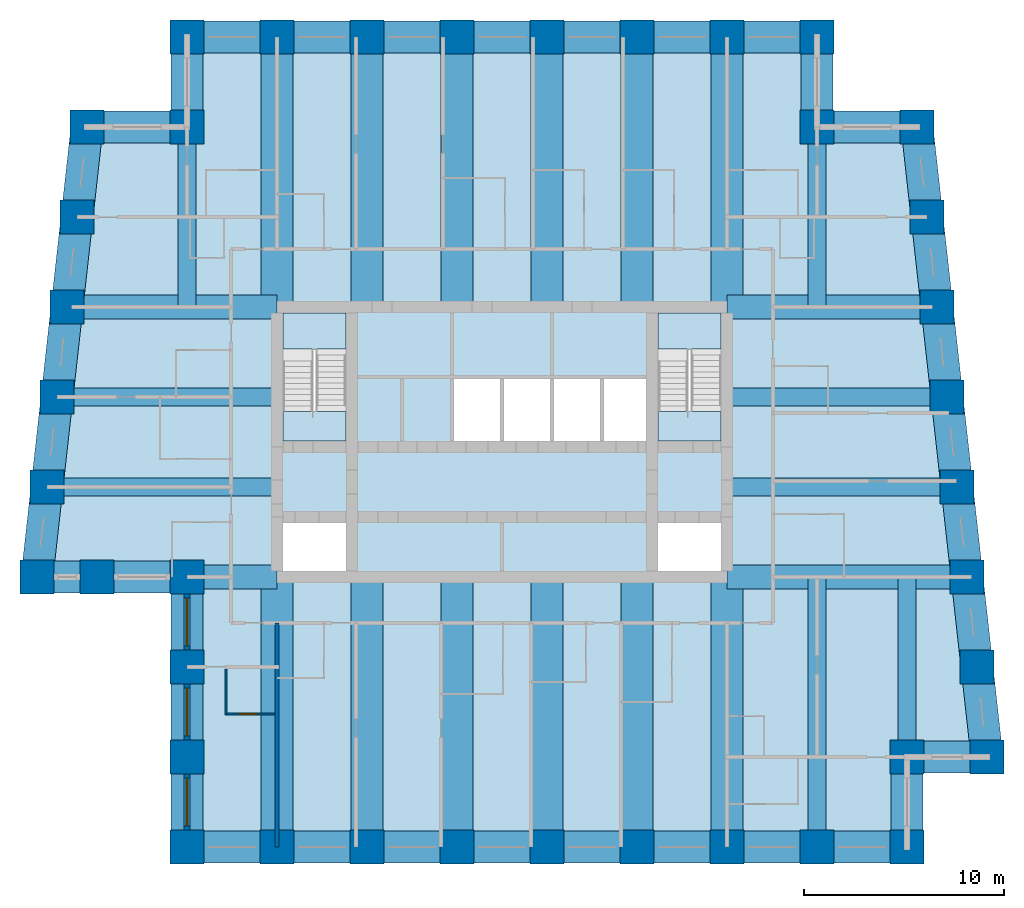
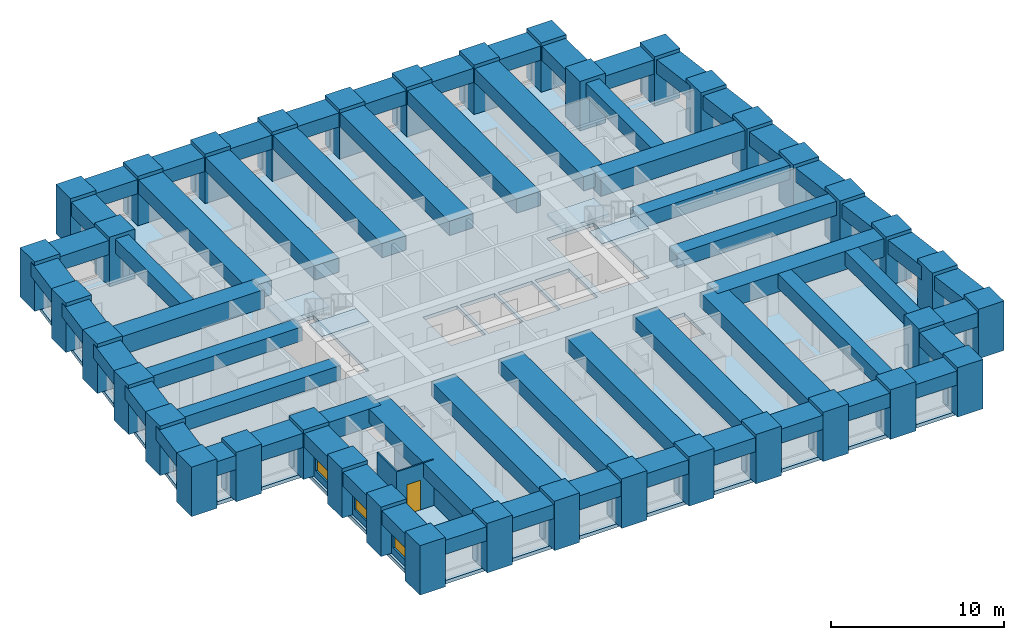
# One storey, part 1 of 8: 62 beams, 38 columns, 5 slabs, 4 walls, 3 windows, 1 door, 4 openings, 2 elements without a shape of their own.
"""IFC4 building model written with IfcOpenShell, lengths in metres."""

from ifc_helpers import new_model, si_unit, direction, frame, frame_2d, origin, origin_2d, place, context, subcontext, project, spatial, polyline, rectangle, outline, extrude, material, layer, layer_set, material_profile, profile_set, type_object, element, fill, aggregate, save


model = new_model("IFC4")

# Units and contexts
model_context = context("Model", 3, precision=1e-05, world=origin(), true_north=direction((0.0, 1.0)))
body_context = subcontext(model_context, "Body", "Model", "MODEL_VIEW")
ifc_project = project(units=[si_unit("LENGTHUNIT", "METRE"), si_unit("AREAUNIT", "SQUARE_METRE"), si_unit("VOLUMEUNIT", "CUBIC_METRE"), si_unit("PLANEANGLEUNIT", "RADIAN"), si_unit("MASSUNIT", "GRAM", prefix="KILO")], contexts=[model_context])

# Site, building, storey
site_placement = place(None, origin())
site = spatial("IfcSite", under=ifc_project, at=site_placement, CompositionType="ELEMENT")
building_placement = place(site_placement, origin())
building = spatial("IfcBuilding", under=site, at=building_placement, Name="Kilele Tower Hotel", CompositionType="ELEMENT")
storey_placement = place(building_placement, frame((0.0, 0.0, 176.39990234375)))
storey = spatial("IfcBuildingStorey", under=building, at=storey_placement, Name="L45", CompositionType="ELEMENT", Elevation=176.39990234375)

# Columns
ifc_material_1 = material(Name="Concrete C60/75", Category="concrete")
ifc_material_profile_1 = material_profile(ifc_material_1, rectangle(XDim=1.699951171875, YDim=1.699951171875, at=origin_2d()))
ifc_profile_set_1 = profile_set([ifc_material_profile_1], Name="Concrete C60/75")
column_type = type_object("IfcColumnType", Name="Tube column RC 1700x1700 C60/75", PredefinedType="COLUMN", material=ifc_profile_set_1)
for number, where, z_axis, x_axis, name in (
    (1, (1.5, 13.5, 0.0), (0.0, 0.0, 1.0), (1.0, 0.0, 0.0), "Column TC4 L45"),
    (2, (4.5, 13.5, 0.0), (0.0, 0.0, 1.0), (1.0, 0.0, 0.0), "Column TC4 L45"),
    (3, (9.0, 13.5, 0.0), (0.0, 0.0, 1.0), (1.0, 0.0, 0.0), "Column TC4 L45"),
    (4, (9.0, 9.0, 0.0), (0.0, 0.0, 1.0), (1.0, 0.0, 0.0), "Column TC4 L45"),
    (5, (9.0, 4.5, 0.0), (0.0, 0.0, 1.0), (1.0, 0.0, 0.0), "Column TC4 L45"),
    (6, (9.0, 0.0, 0.0), (0.0, 0.0, 1.0), (1.0, 0.0, 0.0), "Column TC4 L45"),
    (7, (13.5, 0.0, 0.0), (0.0, 0.0, 1.0), (1.0, 0.0, 0.0), "Column TC4 L45"),
    (8, (18.0, 0.0, 0.0), (0.0, 0.0, 1.0), (1.0, 0.0, 0.0), "Column TC4 L45"),
    (9, (22.5, 0.0, 0.0), (0.0, 0.0, 1.0), (1.0, 0.0, 0.0), "Column TC4 L45"),
    (10, (27.0, 0.0, 0.0), (0.0, 0.0, 1.0), (1.0, 0.0, 0.0), "Column TC4 L45"),
    (11, (31.5, 0.0, 0.0), (0.0, 0.0, 1.0), (1.0, 0.0, 0.0), "Column TC4 L45"),
    (12, (36.0, 0.0, 0.0), (0.0, 0.0, 1.0), (1.0, 0.0, 0.0), "Column TC4 L45"),
    (13, (40.5, 0.0, 0.0), (0.0, 0.0, 1.0), (1.0, 0.0, 0.0), "Column TC4 L45"),
    (14, (45.0, 0.0, 0.0), (0.0, 0.0, 1.0), (1.0, 0.0, 0.0), "Column TC4 L45"),
    (15, (45.0, 4.5, 0.0), (0.0, 0.0, 1.0), (1.0, 0.0, 0.0), "Column TC4 L45"),
    (16, (49.0, 4.5, 0.0), (0.0, 0.0, 1.0), (1.0, 0.0, 0.0), "Column TC4 L45"),
    (17, (48.5, 9.0, 0.0), (0.0, 0.0, 1.0), (1.0, 0.0, 0.0), "Column TC4 L45"),
    (18, (48.0, 13.5, 0.0), (0.0, 0.0, 1.0), (1.0, 0.0, 0.0), "Column TC4 L45"),
    (19, (47.5, 18.0, 0.0), (0.0, 0.0, 1.0), (1.0, 0.0, 0.0), "Column TC4 L45"),
    (20, (47.0, 22.5, 0.0), (0.0, 0.0, 1.0), (1.0, 0.0, 0.0), "Column TC4 L45"),
    (21, (46.5, 27.0, 0.0), (0.0, 0.0, 1.0), (1.0, 0.0, 0.0), "Column TC4 L45"),
    (22, (46.0, 31.5, 0.0), (0.0, 0.0, 1.0), (1.0, 0.0, 0.0), "Column TC4 L45"),
    (23, (45.5, 36.0, 0.0), (0.0, 0.0, 1.0), (1.0, 0.0, 0.0), "Column TC4 L45"),
    (24, (40.5, 36.0, 0.0), (0.0, 0.0, 1.0), (1.0, 0.0, 0.0), "Column TC4 L45"),
    (25, (40.5, 40.5, 0.0), (0.0, 0.0, 1.0), (1.0, 0.0, 0.0), "Column TC4 L45"),
    (26, (36.0, 40.5, 0.0), (0.0, 0.0, 1.0), (1.0, 0.0, 0.0), "Column TC4 L45"),
    (27, (31.5, 40.5, 0.0), (0.0, 0.0, 1.0), (1.0, 0.0, 0.0), "Column TC4 L45"),
    (28, (27.0, 40.5, 0.0), (0.0, 0.0, 1.0), (1.0, 0.0, 0.0), "Column TC4 L45"),
    (29, (22.5, 40.5, 0.0), (0.0, 0.0, 1.0), (1.0, 0.0, 0.0), "Column TC4 L45"),
    (30, (18.0, 40.5, 0.0), (0.0, 0.0, 1.0), (1.0, 0.0, 0.0), "Column TC4 L45"),
    (31, (13.5, 40.5, 0.0), (0.0, 0.0, 1.0), (1.0, 0.0, 0.0), "Column TC4 L45"),
    (32, (9.0, 40.5, 0.0), (0.0, 0.0, 1.0), (1.0, 0.0, 0.0), "Column TC4 L45"),
    (33, (9.0, 36.0, 0.0), (0.0, 0.0, 1.0), (1.0, 0.0, 0.0), "Column TC4 L45"),
    (34, (4.0, 36.0, 0.0), (0.0, 0.0, 1.0), (1.0, 0.0, 0.0), "Column TC4 L45"),
    (35, (3.5, 31.5, 0.0), (0.0, 0.0, 1.0), (1.0, 0.0, 0.0), "Column TC4 L45"),
    (36, (3.0, 27.0, 0.0), (0.0, 0.0, 1.0), (1.0, 0.0, 0.0), "Column TC4 L45"),
    (37, (2.5, 22.5, 0.0), (0.0, 0.0, 1.0), (1.0, 0.0, 0.0), "Column TC4 L45"),
    (38, (2.0, 18.0, 0.0), (0.0, 0.0, 1.0), (1.0, 0.0, 0.0), "Column TC4 L45"),
):
    element("IfcColumn", number, at=place(storey_placement, frame(where, z_axis=z_axis, x_axis=x_axis)), inside=storey, type_object=column_type, Name=name, PredefinedType="COLUMN", context=body_context, shape_type="SweptSolid", body=[
        extrude(rectangle(XDim=1.699951171875, YDim=1.699951171875, at=origin_2d()), origin(), (0.0, 0.0, 1.0), 3.5),
    ])

# Beams
ifc_material_2 = material(Name="Concrete C60/75", Category="concrete")
ifc_material_profile_2 = material_profile(ifc_material_2, rectangle(XDim=1.60009765625, YDim=1.0, at=origin_2d()))
ifc_profile_set_2 = profile_set([ifc_material_profile_2], Name="Concrete C60/75")
beam_type_1 = type_object("IfcBeamType", Name="Beam RC 1600x1000 C60/75", PredefinedType="BEAM", material=ifc_profile_set_2)
for number, where, z_axis, x_axis, name in (
    (39, (13.5, 0.0, 2.75), (0.0, 1.0, 0.0), (-1.0, 0.0, 0.0), "Beam BC1 level L46"),
    (40, (18.0, 0.0, 2.75), (0.0, 1.0, 0.0), (-1.0, 0.0, 0.0), "Beam BC1 level L46"),
    (41, (22.5, 0.0, 2.75), (0.0, 1.0, 0.0), (-1.0, 0.0, 0.0), "Beam BC1 level L46"),
    (42, (27.0, 0.0, 2.75), (0.0, 1.0, 0.0), (-1.0, 0.0, 0.0), "Beam BC1 level L46"),
    (43, (31.5, 0.0, 2.75), (0.0, 1.0, 0.0), (-1.0, 0.0, 0.0), "Beam BC1 level L46"),
    (44, (36.0, 0.0, 2.75), (0.0, 1.0, 0.0), (-1.0, 0.0, 0.0), "Beam BC1 level L46"),
    (45, (36.0, 40.5, 2.75), (0.0, -1.0, 0.0), (1.0, 0.0, 0.0), "Beam BC1 level L46"),
    (46, (31.5, 40.5, 2.75), (0.0, -1.0, 0.0), (1.0, 0.0, 0.0), "Beam BC1 level L46"),
    (47, (27.0, 40.5, 2.75), (0.0, -1.0, 0.0), (1.0, 0.0, 0.0), "Beam BC1 level L46"),
    (48, (22.5, 40.5, 2.75), (0.0, -1.0, 0.0), (1.0, 0.0, 0.0), "Beam BC1 level L46"),
    (49, (18.0, 40.5, 2.75), (0.0, -1.0, 0.0), (1.0, 0.0, 0.0), "Beam BC1 level L46"),
    (50, (13.5, 40.5, 2.75), (0.0, -1.0, 0.0), (1.0, 0.0, 0.0), "Beam BC1 level L46"),
):
    element("IfcBeam", number, at=place(storey_placement, frame(where, z_axis=z_axis, x_axis=x_axis)), inside=storey, type_object=beam_type_1, Name=name, PredefinedType="BEAM", context=body_context, shape_type="SweptSolid", body=[
        extrude(rectangle(XDim=1.60009765625, YDim=1.0, at=origin_2d()), origin(), (0.0, 0.0, 1.0), 13.5),
    ])
ifc_material_3 = material(Name="Concrete C60/75", Category="concrete")
ifc_material_profile_3 = material_profile(ifc_material_3, rectangle(XDim=0.89990234375, YDim=1.0, at=origin_2d()))
ifc_profile_set_3 = profile_set([ifc_material_profile_3], Name="Concrete C60/75")
beam_type_2 = type_object("IfcBeamType", Name="Beam RC 900x1000 C60/75", PredefinedType="BEAM", material=ifc_profile_set_3)
beam_1_placement = place(storey_placement, frame((40.5, 0.0, 2.75), z_axis=(0.0, 1.0, 0.0), x_axis=(-1.0, 0.0, 0.0)))
element("IfcBeam", 51, at=beam_1_placement, inside=storey, type_object=beam_type_2, Name="Beam B8 level L46", PredefinedType="BEAM", context=body_context, shape_type="SweptSolid", body=[
    extrude(rectangle(XDim=0.89990234375, YDim=1.0, at=origin_2d()), origin(), (0.0, 0.0, 1.0), 13.5),
])
beam_2_placement = place(storey_placement, frame((45.0, 4.5, 2.75), z_axis=(0.0, 1.0, 0.0), x_axis=(-1.0, 0.0, 0.0)))
element("IfcBeam", 52, at=beam_2_placement, inside=storey, type_object=beam_type_2, Name="Beam B8 level L46", PredefinedType="BEAM", context=body_context, shape_type="SweptSolid", body=[
    extrude(rectangle(XDim=0.89990234375, YDim=1.0, at=origin_2d()), origin(), (0.0, 0.0, 1.0), 9.0),
])
beam_3_placement = place(storey_placement, frame((47.5, 18.0, 2.75), z_axis=(-1.0, 0.0, 0.0), x_axis=(0.0, -1.0, 0.0)))
element("IfcBeam", 53, at=beam_3_placement, inside=storey, type_object=beam_type_2, Name="Beam B8 level L46", PredefinedType="BEAM", context=body_context, shape_type="SweptSolid", body=[
    extrude(rectangle(XDim=0.89990234375, YDim=1.0, at=origin_2d()), origin(), (0.0, 0.0, 1.0), 11.5),
])
beam_4_placement = place(storey_placement, frame((47.0, 22.5, 2.75), z_axis=(-1.0, 0.0, 0.0), x_axis=(0.0, -1.0, 0.0)))
element("IfcBeam", 54, at=beam_4_placement, inside=storey, type_object=beam_type_2, Name="Beam B8 level L46", PredefinedType="BEAM", context=body_context, shape_type="SweptSolid", body=[
    extrude(rectangle(XDim=0.89990234375, YDim=1.0, at=origin_2d()), origin(), (0.0, 0.0, 1.0), 11.0),
])
for number, where, z_axis, x_axis, name in (
    (55, (40.5, 36.0, 2.75), (0.0, -1.0, 0.0), (1.0, 0.0, 0.0), "Beam B8 level L46"),
    (56, (9.0, 36.0, 2.75), (0.0, -1.0, 0.0), (1.0, 0.0, 0.0), "Beam B8 level L46"),
):
    element("IfcBeam", number, at=place(storey_placement, frame(where, z_axis=z_axis, x_axis=x_axis)), inside=storey, type_object=beam_type_2, Name=name, PredefinedType="BEAM", context=body_context, shape_type="SweptSolid", body=[
        extrude(rectangle(XDim=0.89990234375, YDim=1.0, at=origin_2d()), origin(), (0.0, 0.0, 1.0), 9.0),
    ])
beam_5_placement = place(storey_placement, frame((2.5, 22.5, 2.75), z_axis=(1.0, 0.0, 0.0), x_axis=(0.0, 1.0, 0.0)))
element("IfcBeam", 57, at=beam_5_placement, inside=storey, type_object=beam_type_2, Name="Beam B8 level L46", PredefinedType="BEAM", context=body_context, shape_type="SweptSolid", body=[
    extrude(rectangle(XDim=0.89990234375, YDim=1.0, at=origin_2d()), origin(), (0.0, 0.0, 1.0), 11.0),
])
beam_6_placement = place(storey_placement, frame((2.0, 18.0, 2.75), z_axis=(1.0, 0.0, 0.0), x_axis=(0.0, 1.0, 0.0)))
element("IfcBeam", 58, at=beam_6_placement, inside=storey, type_object=beam_type_2, Name="Beam B8 level L46", PredefinedType="BEAM", context=body_context, shape_type="SweptSolid", body=[
    extrude(rectangle(XDim=0.89990234375, YDim=1.0, at=origin_2d()), origin(), (0.0, 0.0, 1.0), 11.5),
])
ifc_material_4 = material(Name="Concrete C60/75", Category="concrete")
ifc_material_profile_4 = material_profile(ifc_material_4, rectangle(XDim=1.199951171875, YDim=1.300048828125, at=origin_2d()))
ifc_profile_set_4 = profile_set([ifc_material_profile_4], Name="Concrete C60/75")
beam_type_3 = type_object("IfcBeamType", Name="Girder RC 1200x1300 C60/75", PredefinedType="BEAM", material=ifc_profile_set_4)
beam_7_placement = place(storey_placement, frame((48.0, 13.5, 2.60009765625), z_axis=(-1.0, 0.0, 0.0), x_axis=(0.0, -1.0, 0.0)))
element("IfcBeam", 59, at=beam_7_placement, inside=storey, type_object=beam_type_3, Name="Girder G1 level L46", PredefinedType="BEAM", context=body_context, shape_type="SweptSolid", body=[
    extrude(rectangle(XDim=1.199951171875, YDim=1.300048828125, at=origin_2d()), origin(), (0.0, 0.0, 1.0), 12.0),
])
ifc_material_5 = material(Name="Concrete C60/75", Category="concrete")
ifc_material_profile_5 = material_profile(ifc_material_5, rectangle(XDim=1.199951171875, YDim=1.300048828125, at=origin_2d()))
ifc_profile_set_5 = profile_set([ifc_material_profile_5], Name="Concrete C60/75")
beam_type_4 = type_object("IfcBeamType", Name="Girder RC 1200x1300 C60/75 mid span", PredefinedType="BEAM", material=ifc_profile_set_5)
for number, where, z_axis, x_axis, name in (
    (60, (46.5, 27.0, 2.60009765625), (-1.0, 0.0, 0.0), (0.0, -1.0, 0.0), "Girder G3 level L46"),
    (61, (3.0, 27.0, 2.60009765625), (1.0, 0.0, 0.0), (0.0, 1.0, 0.0), "Girder G3 level L46"),
):
    element("IfcBeam", number, at=place(storey_placement, frame(where, z_axis=z_axis, x_axis=x_axis)), inside=storey, type_object=beam_type_4, Name=name, PredefinedType="BEAM", context=body_context, shape_type="SweptSolid", body=[
        extrude(rectangle(XDim=1.199951171875, YDim=1.300048828125, at=origin_2d()), origin(), (0.0, 0.0, 1.0), 10.5),
    ])
ifc_material_6 = material(Name="Concrete C60/75", Category="concrete")
ifc_material_profile_6 = material_profile(ifc_material_6, rectangle(XDim=1.199951171875, YDim=1.300048828125, at=origin_2d()))
ifc_profile_set_6 = profile_set([ifc_material_profile_6], Name="Concrete C60/75")
beam_type_5 = type_object("IfcBeamType", Name="Girder RC 1200x1300 C60/75 short span", PredefinedType="BEAM", material=ifc_profile_set_6)
beam_8_placement = place(storey_placement, frame((9.0, 13.5, 2.60009765625), z_axis=(1.0, 0.0, 0.0), x_axis=(0.0, 1.0, 0.0)))
element("IfcBeam", 62, at=beam_8_placement, inside=storey, type_object=beam_type_5, Name="Girder G5 level L46", PredefinedType="BEAM", context=body_context, shape_type="SweptSolid", body=[
    extrude(rectangle(XDim=1.199951171875, YDim=1.300048828125, at=origin_2d()), origin(), (0.0, 0.0, 1.0), 4.5),
])
ifc_material_7 = material(Name="Concrete C60/75", Category="concrete")
ifc_material_profile_7 = material_profile(ifc_material_7, rectangle(XDim=1.60009765625, YDim=1.0, at=origin_2d()))
ifc_profile_set_7 = profile_set([ifc_material_profile_7], Name="Concrete C60/75")
beam_type_6 = type_object("IfcBeamType", Name="Spandrel RC 1600x1000 C60/75", PredefinedType="SPANDREL", material=ifc_profile_set_7)
beam_9_placement = place(storey_placement, frame((1.5, 13.5, 2.75), z_axis=(1.0, 0.0, 0.0), x_axis=(0.0, 1.0, 0.0)))
element("IfcBeam", 63, at=beam_9_placement, inside=storey, type_object=beam_type_6, Name="Spandrel SP2 level L46", PredefinedType="SPANDREL", context=body_context, shape_type="SweptSolid", body=[
    extrude(rectangle(XDim=1.60009765625, YDim=1.0, at=origin_2d()), origin(), (0.0, 0.0, 1.0), 3.0),
])
for number, where, z_axis, x_axis, name in (
    (64, (4.5, 13.5, 2.75), (1.0, 0.0, 0.0), (0.0, 1.0, 0.0), "Spandrel SP2 level L46"),
    (65, (9.0, 13.5, 2.75), (0.0, -1.0, 0.0), (1.0, 0.0, 0.0), "Spandrel SP2 level L46"),
    (66, (9.0, 9.0, 2.75), (0.0, -1.0, 0.0), (1.0, 0.0, 0.0), "Spandrel SP2 level L46"),
    (67, (9.0, 4.5, 2.75), (0.0, -1.0, 0.0), (1.0, 0.0, 0.0), "Spandrel SP2 level L46"),
    (68, (9.0, 0.0, 2.75), (1.0, 0.0, 0.0), (0.0, 1.0, 0.0), "Spandrel SP2 level L46"),
    (69, (13.5, 0.0, 2.75), (1.0, 0.0, 0.0), (0.0, 1.0, 0.0), "Spandrel SP2 level L46"),
    (70, (18.0, 0.0, 2.75), (1.0, 0.0, 0.0), (0.0, 1.0, 0.0), "Spandrel SP2 level L46"),
    (71, (22.5, 0.0, 2.75), (1.0, 0.0, 0.0), (0.0, 1.0, 0.0), "Spandrel SP2 level L46"),
    (72, (27.0, 0.0, 2.75), (1.0, 0.0, 0.0), (0.0, 1.0, 0.0), "Spandrel SP2 level L46"),
    (73, (31.5, 0.0, 2.75), (1.0, 0.0, 0.0), (0.0, 1.0, 0.0), "Spandrel SP2 level L46"),
    (74, (36.0, 0.0, 2.75), (1.0, 0.0, 0.0), (0.0, 1.0, 0.0), "Spandrel SP2 level L46"),
    (75, (40.5, 0.0, 2.75), (1.0, 0.0, 0.0), (0.0, 1.0, 0.0), "Spandrel SP2 level L46"),
    (76, (45.0, 0.0, 2.75), (0.0, 1.0, 0.0), (-1.0, 0.0, 0.0), "Spandrel SP2 level L46"),
):
    element("IfcBeam", number, at=place(storey_placement, frame(where, z_axis=z_axis, x_axis=x_axis)), inside=storey, type_object=beam_type_6, Name=name, PredefinedType="SPANDREL", context=body_context, shape_type="SweptSolid", body=[
        extrude(rectangle(XDim=1.60009765625, YDim=1.0, at=origin_2d()), origin(), (0.0, 0.0, 1.0), 4.5),
    ])
beam_10_placement = place(storey_placement, frame((45.0, 4.5, 2.75), z_axis=(1.0, 0.0, 0.0), x_axis=(0.0, 1.0, 0.0)))
element("IfcBeam", 77, at=beam_10_placement, inside=storey, type_object=beam_type_6, Name="Spandrel SP2 level L46", PredefinedType="SPANDREL", context=body_context, shape_type="SweptSolid", body=[
    extrude(rectangle(XDim=1.60009765625, YDim=1.0, at=origin_2d()), origin(), (0.0, 0.0, 1.0), 4.0),
])
for number, where, z_axis, x_axis, name in (
    (78, (49.0, 4.5, 2.75), (-0.110431526075, 0.993883734674, 0.0), (-0.993883734674, -0.110431526075, 0.0), "Spandrel SP2 level L46"),
    (79, (48.5, 9.0, 2.75), (-0.110431526075, 0.993883734674, 0.0), (-0.993883734674, -0.110431526075, 0.0), "Spandrel SP2 level L46"),
    (80, (48.0, 13.5, 2.75), (-0.110431526075, 0.993883734674, 0.0), (-0.993883734674, -0.110431526075, 0.0), "Spandrel SP2 level L46"),
    (81, (47.5, 18.0, 2.75), (-0.110431526075, 0.993883734674, 0.0), (-0.993883734674, -0.110431526075, 0.0), "Spandrel SP2 level L46"),
    (82, (47.0, 22.5, 2.75), (-0.110431526075, 0.993883734674, 0.0), (-0.993883734674, -0.110431526075, 0.0), "Spandrel SP2 level L46"),
    (83, (46.5, 27.0, 2.75), (-0.110431526075, 0.993883734674, 0.0), (-0.993883734674, -0.110431526075, 0.0), "Spandrel SP2 level L46"),
    (84, (46.0, 31.5, 2.75), (-0.110431526075, 0.993883734674, 0.0), (-0.993883734674, -0.110431526075, 0.0), "Spandrel SP2 level L46"),
):
    element("IfcBeam", number, at=place(storey_placement, frame(where, z_axis=z_axis, x_axis=x_axis)), inside=storey, type_object=beam_type_6, Name=name, PredefinedType="SPANDREL", context=body_context, shape_type="SweptSolid", body=[
        extrude(rectangle(XDim=1.60009765625, YDim=1.0, at=origin_2d()), origin(), (0.0, 0.0, 1.0), 4.527587890625),
    ])
beam_11_placement = place(storey_placement, frame((45.5, 36.0, 2.75), z_axis=(-1.0, 0.0, 0.0), x_axis=(0.0, -1.0, 0.0)))
element("IfcBeam", 85, at=beam_11_placement, inside=storey, type_object=beam_type_6, Name="Spandrel SP2 level L46", PredefinedType="SPANDREL", context=body_context, shape_type="SweptSolid", body=[
    extrude(rectangle(XDim=1.60009765625, YDim=1.0, at=origin_2d()), origin(), (0.0, 0.0, 1.0), 5.0),
])
for number, where, z_axis, x_axis, name in (
    (86, (40.5, 36.0, 2.75), (0.0, 1.0, 0.0), (-1.0, 0.0, 0.0), "Spandrel SP2 level L46"),
    (87, (40.5, 40.5, 2.75), (-1.0, 0.0, 0.0), (0.0, -1.0, 0.0), "Spandrel SP2 level L46"),
    (88, (36.0, 40.5, 2.75), (-1.0, 0.0, 0.0), (0.0, -1.0, 0.0), "Spandrel SP2 level L46"),
    (89, (31.5, 40.5, 2.75), (-1.0, 0.0, 0.0), (0.0, -1.0, 0.0), "Spandrel SP2 level L46"),
    (90, (27.0, 40.5, 2.75), (-1.0, 0.0, 0.0), (0.0, -1.0, 0.0), "Spandrel SP2 level L46"),
    (91, (22.5, 40.5, 2.75), (-1.0, 0.0, 0.0), (0.0, -1.0, 0.0), "Spandrel SP2 level L46"),
    (92, (18.0, 40.5, 2.75), (-1.0, 0.0, 0.0), (0.0, -1.0, 0.0), "Spandrel SP2 level L46"),
    (93, (13.5, 40.5, 2.75), (-1.0, 0.0, 0.0), (0.0, -1.0, 0.0), "Spandrel SP2 level L46"),
    (94, (9.0, 40.5, 2.75), (0.0, -1.0, 0.0), (1.0, 0.0, 0.0), "Spandrel SP2 level L46"),
):
    element("IfcBeam", number, at=place(storey_placement, frame(where, z_axis=z_axis, x_axis=x_axis)), inside=storey, type_object=beam_type_6, Name=name, PredefinedType="SPANDREL", context=body_context, shape_type="SweptSolid", body=[
        extrude(rectangle(XDim=1.60009765625, YDim=1.0, at=origin_2d()), origin(), (0.0, 0.0, 1.0), 4.5),
    ])
beam_12_placement = place(storey_placement, frame((9.0, 36.0, 2.75), z_axis=(-1.0, 0.0, 0.0), x_axis=(0.0, -1.0, 0.0)))
element("IfcBeam", 95, at=beam_12_placement, inside=storey, type_object=beam_type_6, Name="Spandrel SP2 level L46", PredefinedType="SPANDREL", context=body_context, shape_type="SweptSolid", body=[
    extrude(rectangle(XDim=1.60009765625, YDim=1.0, at=origin_2d()), origin(), (0.0, 0.0, 1.0), 5.0),
])
for number, where, z_axis, x_axis, name in (
    (96, (4.0, 36.0, 2.75), (-0.110431526075, -0.993883734674, 0.0), (0.993883734674, -0.110431526075, 0.0), "Spandrel SP2 level L46"),
    (97, (3.5, 31.5, 2.75), (-0.110431526075, -0.993883734674, 0.0), (0.993883734674, -0.110431526075, 0.0), "Spandrel SP2 level L46"),
    (98, (3.0, 27.0, 2.75), (-0.110431526075, -0.993883734674, 0.0), (0.993883734674, -0.110431526075, 0.0), "Spandrel SP2 level L46"),
    (99, (2.5, 22.5, 2.75), (-0.110431526075, -0.993883734674, 0.0), (0.993883734674, -0.110431526075, 0.0), "Spandrel SP2 level L46"),
    (100, (2.0, 18.0, 2.75), (-0.110431526075, -0.993883734674, 0.0), (0.993883734674, -0.110431526075, 0.0), "Spandrel SP2 level L46"),
):
    element("IfcBeam", number, at=place(storey_placement, frame(where, z_axis=z_axis, x_axis=x_axis)), inside=storey, type_object=beam_type_6, Name=name, PredefinedType="SPANDREL", context=body_context, shape_type="SweptSolid", body=[
        extrude(rectangle(XDim=1.60009765625, YDim=1.0, at=origin_2d()), origin(), (0.0, 0.0, 1.0), 4.527587890625),
    ])

# Slab
ifc_material_8 = material(Name="Concrete C60/75", Category="concrete")
ifc_layer_1 = layer(ifc_material_8, 0.25)
ifc_layer_set_1 = layer_set([ifc_layer_1], Name="Concrete C60/75")
slab_type_1 = type_object("IfcSlabType", Name="Floor slab 250", PredefinedType="FLOOR", material=ifc_layer_set_1)
slab_1_placement = place(storey_placement, frame((0.0, 0.0, -0.25)))
element("IfcSlab", 101, at=slab_1_placement, inside=storey, type_object=slab_type_1, Name="Floor slab L45", PredefinedType="FLOOR", context=body_context, shape_type="SweptSolid", body=[
    extrude(outline(polyline([(8.699951171875, 36.300048828125), (8.699951171875, 40.800048828125), (40.800048828125, 40.800048828125), (40.800048828125, 36.300048828125), (45.7685546875, 36.300048828125), (49.335205078125, 4.199951171875), (45.300048828125, 4.199951171875), (45.300048828125, -0.300048828125), (8.699951171875, -0.300048828125), (8.699951171875, 13.199951171875), (1.164794921875, 13.199951171875), (3.7314453125, 36.300048828125), (8.699951171875, 36.300048828125)]), holes=[polyline([(16.949951171875, 16.199951171875), (13.800048828125, 16.199951171875), (13.800048828125, 13.800048828125), (16.949951171875, 13.800048828125), (16.949951171875, 16.199951171875)]), polyline([(35.699951171875, 16.199951171875), (32.550048828125, 16.199951171875), (32.550048828125, 13.800048828125), (35.699951171875, 13.800048828125), (35.699951171875, 16.199951171875)]), polyline([(24.64990234375, 23.39990234375), (22.35009765625, 23.39990234375), (22.35009765625, 20.10009765625), (24.64990234375, 20.10009765625), (24.64990234375, 23.39990234375)]), polyline([(27.14990234375, 23.39990234375), (24.85009765625, 23.39990234375), (24.85009765625, 20.10009765625), (27.14990234375, 20.10009765625), (27.14990234375, 23.39990234375)]), polyline([(29.64990234375, 23.39990234375), (27.35009765625, 23.39990234375), (27.35009765625, 20.10009765625), (29.64990234375, 20.10009765625), (29.64990234375, 23.39990234375)]), polyline([(32.14990234375, 23.39990234375), (29.85009765625, 23.39990234375), (29.85009765625, 20.10009765625), (32.14990234375, 20.10009765625), (32.14990234375, 23.39990234375)]), polyline([(16.949951171875, 26.699951171875), (13.800048828125, 26.699951171875), (13.800048828125, 20.300048828125), (16.949951171875, 20.300048828125), (16.949951171875, 26.699951171875)]), polyline([(35.699951171875, 26.699951171875), (32.550048828125, 26.699951171875), (32.550048828125, 20.300048828125), (35.699951171875, 20.300048828125), (35.699951171875, 26.699951171875)])]), origin(), (0.0, 0.0, 1.0), 0.25),
])

# Stair, slabs
ifc_material_9 = material(Name="Precast concrete C40/50", Category="concrete")
stair_type = type_object("IfcStairType", Name="Stair 1475 x 3500", PredefinedType="HALF_TURN_STAIR", material=ifc_material_9)
stair_1_placement = place(storey_placement, origin())
stair_1 = element("IfcStair", 102, at=stair_1_placement, inside=storey, type_object=stair_type, Name="Stair 1 L45", PredefinedType="HALF_TURN_STAIR")
ifc_material_10 = material(Name="Precast concrete C40/50", Category="concrete")
ifc_layer_2 = layer(ifc_material_10, 0.199951171875)
ifc_layer_set_2 = layer_set([ifc_layer_2], Name="Precast concrete C40/50")
slab_type_2 = type_object("IfcSlabType", Name="Stair landing 200", PredefinedType="LANDING", material=ifc_layer_set_2)
slab_2_placement = place(storey_placement, frame((0.0, 0.0, 1.550048828125)))
slab_2 = element("IfcSlab", 103, at=slab_2_placement, type_object=slab_type_2, Name="ST1 landing 1", PredefinedType="LANDING", context=body_context, shape_type="SweptSolid", body=[
    extrude(outline(polyline([(13.800048828125, 24.89501953125), (16.949951171875, 24.89501953125), (16.949951171875, 26.699951171875), (13.800048828125, 26.699951171875), (13.800048828125, 24.89501953125)])), origin(), (0.0, 0.0, 1.0), 0.199951171875),
])
slab_3_placement = place(storey_placement, frame((0.0, 0.0, 3.300048828125)))
slab_3 = element("IfcSlab", 104, at=slab_3_placement, type_object=slab_type_2, Name="ST1 landing 2", PredefinedType="LANDING", context=body_context, shape_type="SweptSolid", body=[
    extrude(outline(polyline([(13.800048828125, 20.300048828125), (16.949951171875, 20.300048828125), (16.949951171875, 21.77490234375), (13.800048828125, 21.77490234375), (13.800048828125, 20.300048828125)])), origin(), (0.0, 0.0, 1.0), 0.199951171875),
])
aggregate(stair_1, [slab_2, slab_3])

stair_2_placement = place(storey_placement, origin())
stair_2 = element("IfcStair", 105, at=stair_2_placement, inside=storey, type_object=stair_type, Name="Stair 2 L45", PredefinedType="HALF_TURN_STAIR")
slab_4_placement = place(storey_placement, frame((0.0, 0.0, 1.550048828125)))
slab_4 = element("IfcSlab", 106, at=slab_4_placement, type_object=slab_type_2, Name="ST2 landing 1", PredefinedType="LANDING", context=body_context, shape_type="SweptSolid", body=[
    extrude(outline(polyline([(32.550048828125, 24.89501953125), (35.699951171875, 24.89501953125), (35.699951171875, 26.699951171875), (32.550048828125, 26.699951171875), (32.550048828125, 24.89501953125)])), origin(), (0.0, 0.0, 1.0), 0.199951171875),
])
slab_5_placement = place(storey_placement, frame((0.0, 0.0, 3.300048828125)))
slab_5 = element("IfcSlab", 107, at=slab_5_placement, type_object=slab_type_2, Name="ST2 landing 2", PredefinedType="LANDING", context=body_context, shape_type="SweptSolid", body=[
    extrude(outline(polyline([(32.550048828125, 20.300048828125), (35.699951171875, 20.300048828125), (35.699951171875, 21.77490234375), (32.550048828125, 21.77490234375), (32.550048828125, 20.300048828125)])), origin(), (0.0, 0.0, 1.0), 0.199951171875),
])
aggregate(stair_2, [slab_4, slab_5])

# Wall
ifc_material_11 = material(Name="Moisture-resistant board")
ifc_layer_3 = layer(ifc_material_11, 0.10009765625)
ifc_layer_set_3 = layer_set([ifc_layer_3], Name="Moisture-resistant board")
wall_type_1 = type_object("IfcWallType", Name="Bathroom partition 100", PredefinedType="PLUMBINGWALL", material=ifc_layer_set_3)
wall_1_placement = place(storey_placement, frame((10.949951171875, 8.89990234375, 0.0), z_axis=(0.0, 0.0, 1.0), x_axis=(0.0, -1.0, 0.0)))
element("IfcWall", 108, at=wall_1_placement, inside=storey, type_object=wall_type_1, Name="Bathroom partition 100 L45", PredefinedType="PLUMBINGWALL", context=body_context, shape_type="SweptSolid", body=[
    extrude(rectangle(XDim=2.2998046875, YDim=0.10009765625, at=frame_2d((1.14990234375, 0.0))), origin(), (0.0, 0.0, 1.0), 3.25),
])

# Wall, opening, door
wall_2_placement = place(storey_placement, frame((13.39990234375, 6.64990234375, 0.0), z_axis=(0.0, 0.0, 1.0), x_axis=(-1.0, 0.0, 0.0)))
wall_2 = element("IfcWall", 109, at=wall_2_placement, inside=storey, type_object=wall_type_1, Name="Bathroom partition 100 L45", PredefinedType="PLUMBINGWALL", context=body_context, shape_type="SweptSolid", body=[
    extrude(rectangle(XDim=2.5, YDim=0.10009765625, at=frame_2d((1.25, 0.0))), origin(), (0.0, 0.0, 1.0), 3.25),
])
opening_1_placement = place(wall_2_placement, frame((0.89990234375, 0.0, 0.0)))
opening_1 = element("IfcOpeningElement", 110, at=opening_1_placement, cuts=wall_2, Name="Opening D2A", PredefinedType="OPENING", context=body_context, shape_type="SweptSolid", body=[
    extrude(rectangle(XDim=0.89990234375, YDim=2.10009765625, at=frame_2d((0.449951171875, 1.050048828125))), frame((0.0, 0.06005859375, 0.0), z_axis=(0.0, -1.0, 0.0), x_axis=(1.0, 0.0, 0.0)), (0.0, 0.0, 1.0), 0.1201171875),
])
ifc_material_12 = material(Name="Timber door leaf in hardwood frame", Category="wood")
door_type = type_object("IfcDoorType", Name="Bathroom door 900", OperationType="SINGLE_SWING_LEFT", PredefinedType="DOOR", material=ifc_material_12)
door_placement = place(opening_1_placement, origin())
door = element("IfcDoor", 111, at=door_placement, inside=storey, type_object=door_type, Name="Bathroom door 4518B", OperationType="SINGLE_SWING_LEFT", OverallHeight=2.10009765625, OverallWidth=0.89990234375, PredefinedType="DOOR", context=body_context, shape_type="SweptSolid", body=[
    extrude(rectangle(XDim=0.89990234375, YDim=2.10009765625, at=frame_2d((0.449951171875, 1.050048828125))), frame((0.0, 0.02490234375, 0.0), z_axis=(0.0, -1.0, 0.0), x_axis=(1.0, 0.0, 0.0)), (0.0, 0.0, 1.0), 0.050048828125),
])
fill(opening_1, door)

# Wall
ifc_material_13 = material(Name="Blockwork, plastered both sides", Category="masonry")
ifc_layer_4 = layer(ifc_material_13, 0.199951171875)
ifc_layer_set_4 = layer_set([ifc_layer_4], Name="Blockwork, plastered both sides")
wall_type_2 = type_object("IfcWallType", Name="Party wall 200", PredefinedType="PARTITIONING", material=ifc_layer_set_4)
wall_3_placement = place(storey_placement, frame((13.5, 11.199951171875, 0.0), z_axis=(0.0, 0.0, 1.0), x_axis=(0.0, -1.0, 0.0)))
element("IfcWall", 112, at=wall_3_placement, inside=storey, type_object=wall_type_2, Name="Party wall 200 L45", PredefinedType="PARTITIONING", context=body_context, shape_type="SweptSolid", body=[
    extrude(rectangle(XDim=11.199951171875, YDim=0.199951171875, at=frame_2d((5.60009765625, 0.0))), origin(), (0.0, 0.0, 1.0), 2.25),
])

# Wall, openings, windows
ifc_material_14 = material(Name="Concrete C40/50 precast", Category="concrete")
ifc_layer_5 = layer(ifc_material_14, 0.260009765625, Name="Precast backing", Category="LoadBearing")
ifc_material_15 = material(Name="Reconstituted stone finish", Category="masonry")
ifc_layer_6 = layer(ifc_material_15, 0.0400390625, Name="Face mix", Category="Finish")
ifc_layer_set_5 = layer_set([ifc_layer_5, ifc_layer_6], Name="Precast concrete C40/50, reconstituted stone finish")
wall_type_3 = type_object("IfcWallType", Name="Precast stone facade wall 300", PredefinedType="STANDARD", material=ifc_layer_set_5)
wall_4_placement = place(storey_placement, frame((9.0, 13.64990234375, 0.0), z_axis=(0.0, 0.0, 1.0), x_axis=(0.0, -1.0, 0.0)))
wall_4 = element("IfcWall", 113, at=wall_4_placement, inside=storey, type_object=wall_type_3, Name="Facade wall L45 edge 2", PredefinedType="STANDARD", context=body_context, shape_type="SweptSolid", body=[
    extrude(rectangle(XDim=13.7998046875, YDim=0.300048828125, at=frame_2d((6.89990234375, 0.0))), origin(), (0.0, 0.0, 1.0), 2.25),
])
opening_2_placement = place(wall_4_placement, frame((1.199951171875, 0.0, 0.5)))
opening_2 = element("IfcOpeningElement", 114, at=opening_2_placement, cuts=wall_4, Name="Opening W3", PredefinedType="OPENING", context=body_context, shape_type="SweptSolid", body=[
    extrude(rectangle(XDim=2.39990234375, YDim=1.60009765625, at=frame_2d((1.199951171875, 0.800048828125))), frame((0.0, 0.159912109375, 0.0), z_axis=(0.0, -1.0, 0.0), x_axis=(1.0, 0.0, 0.0)), (0.0, 0.0, 1.0), 0.320068359375),
])
opening_3_placement = place(wall_4_placement, frame((5.699951171875, 0.0, 0.5)))
opening_3 = element("IfcOpeningElement", 115, at=opening_3_placement, cuts=wall_4, Name="Opening W3", PredefinedType="OPENING", context=body_context, shape_type="SweptSolid", body=[
    extrude(rectangle(XDim=2.39990234375, YDim=1.60009765625, at=frame_2d((1.199951171875, 0.800048828125))), frame((0.0, 0.159912109375, 0.0), z_axis=(0.0, -1.0, 0.0), x_axis=(1.0, 0.0, 0.0)), (0.0, 0.0, 1.0), 0.320068359375),
])
opening_4_placement = place(wall_4_placement, frame((10.199951171875, 0.0, 0.5)))
opening_4 = element("IfcOpeningElement", 116, at=opening_4_placement, cuts=wall_4, Name="Opening W3", PredefinedType="OPENING", context=body_context, shape_type="SweptSolid", body=[
    extrude(rectangle(XDim=2.39990234375, YDim=1.60009765625, at=frame_2d((1.199951171875, 0.800048828125))), frame((0.0, 0.159912109375, 0.0), z_axis=(0.0, -1.0, 0.0), x_axis=(1.0, 0.0, 0.0)), (0.0, 0.0, 1.0), 0.320068359375),
])
ifc_material_16 = material(Name="Aluminium frame, clear double glazing", Category="aluminium")
window_type = type_object("IfcWindowType", Name="Window W3 2400 x 1600", PartitioningType="SINGLE_PANEL", PredefinedType="WINDOW", material=ifc_material_16)
window_1_placement = place(opening_2_placement, origin())
window_1 = element("IfcWindow", 117, at=window_1_placement, inside=storey, type_object=window_type, Name="Window L45", OverallHeight=1.60009765625, OverallWidth=2.39990234375, PartitioningType="SINGLE_PANEL", PredefinedType="WINDOW", context=body_context, shape_type="SweptSolid", body=[
    extrude(rectangle(XDim=2.39990234375, YDim=1.60009765625, at=frame_2d((1.199951171875, 0.800048828125))), frame((0.0, 0.030029296875, 0.0), z_axis=(0.0, -1.0, 0.0), x_axis=(1.0, 0.0, 0.0)), (0.0, 0.0, 1.0), 0.06005859375),
])
fill(opening_2, window_1)
window_2_placement = place(opening_3_placement, origin())
window_2 = element("IfcWindow", 118, at=window_2_placement, inside=storey, type_object=window_type, Name="Window L45", OverallHeight=1.60009765625, OverallWidth=2.39990234375, PartitioningType="SINGLE_PANEL", PredefinedType="WINDOW", context=body_context, shape_type="SweptSolid", body=[
    extrude(rectangle(XDim=2.39990234375, YDim=1.60009765625, at=frame_2d((1.199951171875, 0.800048828125))), frame((0.0, 0.030029296875, 0.0), z_axis=(0.0, -1.0, 0.0), x_axis=(1.0, 0.0, 0.0)), (0.0, 0.0, 1.0), 0.06005859375),
])
fill(opening_3, window_2)
window_3_placement = place(opening_4_placement, origin())
window_3 = element("IfcWindow", 119, at=window_3_placement, inside=storey, type_object=window_type, Name="Window L45", OverallHeight=1.60009765625, OverallWidth=2.39990234375, PartitioningType="SINGLE_PANEL", PredefinedType="WINDOW", context=body_context, shape_type="SweptSolid", body=[
    extrude(rectangle(XDim=2.39990234375, YDim=1.60009765625, at=frame_2d((1.199951171875, 0.800048828125))), frame((0.0, 0.030029296875, 0.0), z_axis=(0.0, -1.0, 0.0), x_axis=(1.0, 0.0, 0.0)), (0.0, 0.0, 1.0), 0.06005859375),
])
fill(opening_4, window_3)

save(model, "model.ifc")
